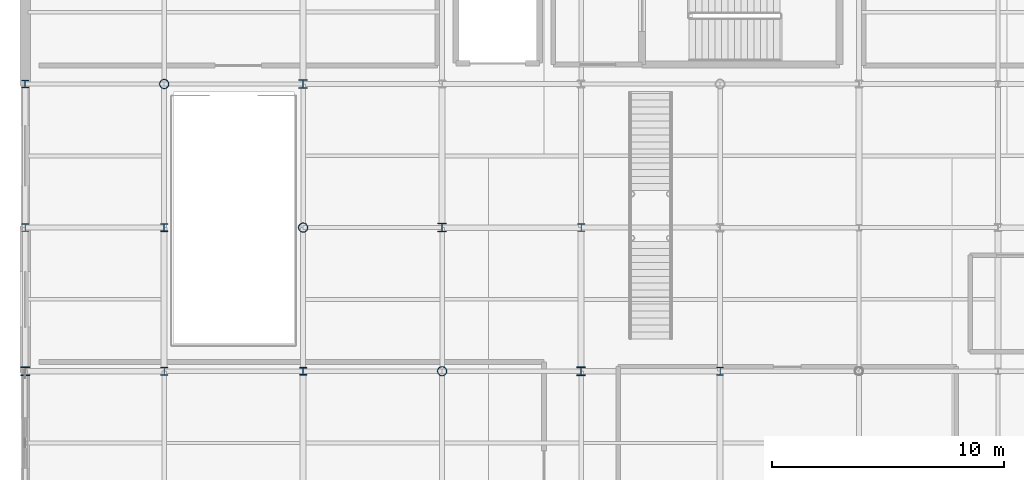
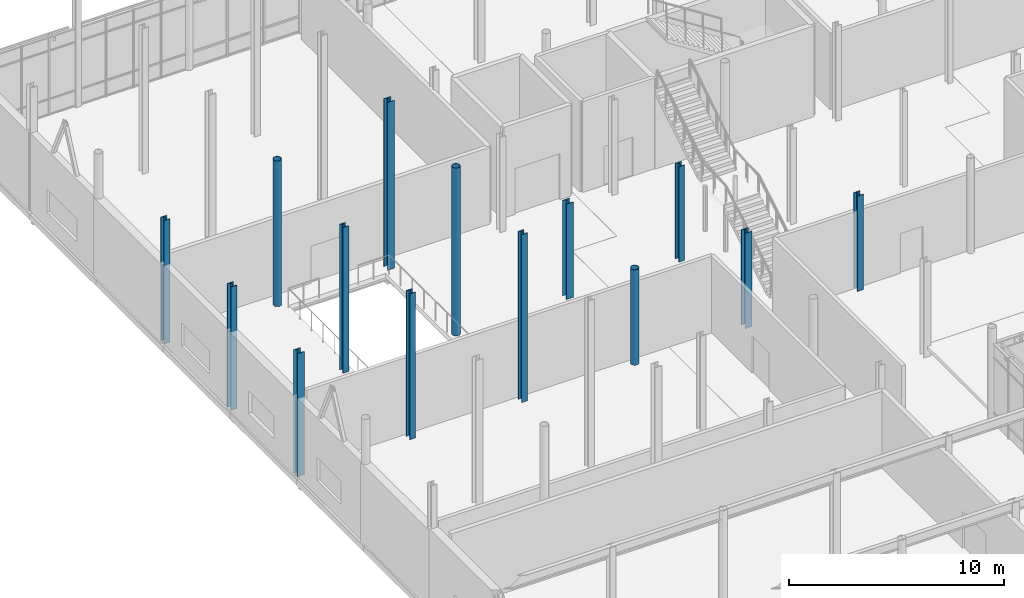
# One storey, part 2 of 105: 14 columns.
"""IFC4 building model written with IfcOpenShell, lengths in metres."""

from ifc_helpers import new_model, si_unit, direction, frame, origin, origin_2d, place, context, subcontext, project, spatial, hollow_circle, i_section, extrude, material, material_profile, profile_set, type_object, element, save


model = new_model("IFC4")

# Units and contexts
model_context = context("Model", 3, precision=1e-05, world=origin(), true_north=direction((0.0, 1.0)))
body_context = subcontext(model_context, "Body", "Model", "MODEL_VIEW")
ifc_project = project(units=[si_unit("LENGTHUNIT", "METRE"), si_unit("AREAUNIT", "SQUARE_METRE"), si_unit("VOLUMEUNIT", "CUBIC_METRE"), si_unit("PLANEANGLEUNIT", "RADIAN"), si_unit("MASSUNIT", "GRAM", prefix="KILO")], contexts=[model_context])

# Site, building, storey
site_placement = place(None, origin())
site = spatial("IfcSite", under=ifc_project, at=site_placement, CompositionType="ELEMENT")
building_placement = place(site_placement, origin())
building = spatial("IfcBuilding", under=site, at=building_placement, Name="Mirzam Square Science Centre", CompositionType="ELEMENT")
storey_placement = place(building_placement, frame((0.0, 0.0, 5.39990234375)))
storey = spatial("IfcBuildingStorey", under=building, at=storey_placement, Name="L01", CompositionType="ELEMENT", Elevation=5.39990234375)

# Columns
ifc_material = material(Name="Steel S355", Category="steel")
ifc_material_profile_1 = material_profile(ifc_material, hollow_circle(Radius=0.203125, WallThickness=0.01611328125, at=origin_2d()), Name="406.4x16.0CHS")
ifc_profile_set_1 = profile_set([ifc_material_profile_1], Name="Steel S355")
column_type_1 = type_object("IfcColumnType", Name="COL-CHS406", PredefinedType="COLUMN", material=ifc_profile_set_1)
column_1_placement = place(storey_placement, frame((6.0, 62.0, 0.0), z_axis=(0.0, 0.0, 1.0), x_axis=(1.0, 0.0, 0.0)))
element("IfcColumn", 1, at=column_1_placement, inside=storey, type_object=column_type_1, Name="L01 column G02-11", PredefinedType="COLUMN", context=body_context, shape_type="SweptSolid", body=[
    extrude(hollow_circle(Radius=0.203125, WallThickness=0.01611328125, at=origin_2d()), origin(), (0.0, 0.0, 1.0), 8.25),
])
column_2_placement = place(storey_placement, frame((12.0, 55.800048828125, 0.0), z_axis=(0.0, 0.0, 1.0), x_axis=(1.0, 0.0, 0.0)))
element("IfcColumn", 2, at=column_2_placement, inside=storey, type_object=column_type_1, Name="L01 column G03-10", PredefinedType="COLUMN", context=body_context, shape_type="SweptSolid", body=[
    extrude(hollow_circle(Radius=0.203125, WallThickness=0.01611328125, at=origin_2d()), origin(), (0.0, 0.0, 1.0), 9.510009765625),
])
column_3_placement = place(storey_placement, frame((18.0, 49.60009765625, 0.0), z_axis=(0.0, 0.0, 1.0), x_axis=(1.0, 0.0, 0.0)))
element("IfcColumn", 3, at=column_3_placement, inside=storey, type_object=column_type_1, Name="L01 column G04-09", PredefinedType="COLUMN", context=body_context, shape_type="SweptSolid", body=[
    extrude(hollow_circle(Radius=0.203125, WallThickness=0.01611328125, at=origin_2d()), origin(), (0.0, 0.0, 1.0), 5.400146484375),
])
ifc_material_profile_2 = material_profile(ifc_material, i_section(OverallWidth=0.314453125, OverallDepth=0.33984375, WebThickness=0.01904296875, FlangeThickness=0.031494140625, FilletRadius=0.01513671875, at=origin_2d()), Name="305x305x198UC")
ifc_profile_set_2 = profile_set([ifc_material_profile_2], Name="Steel S355")
column_type_2 = type_object("IfcColumnType", Name="COL-UC305B", PredefinedType="COLUMN", material=ifc_profile_set_2)
column_4_placement = place(storey_placement, frame((0.0, 62.0, 0.0), z_axis=(0.0, 0.0, 1.0), x_axis=(1.0, 0.0, 0.0)))
element("IfcColumn", 4, at=column_4_placement, inside=storey, type_object=column_type_2, Name="L01 column G01-11", PredefinedType="COLUMN", context=body_context, shape_type="SweptSolid", body=[
    extrude(i_section(OverallWidth=0.314453125, OverallDepth=0.33984375, WebThickness=0.01904296875, FlangeThickness=0.031494140625, FilletRadius=0.01513671875, at=origin_2d()), origin(), (0.0, 0.0, 1.0), 6.989990234375),
])
column_5_placement = place(storey_placement, frame((6.0, 55.800048828125, 0.0), z_axis=(0.0, 0.0, 1.0), x_axis=(1.0, 0.0, 0.0)))
element("IfcColumn", 5, at=column_5_placement, inside=storey, type_object=column_type_2, Name="L01 column G02-10", PredefinedType="COLUMN", context=body_context, shape_type="SweptSolid", body=[
    extrude(i_section(OverallWidth=0.314453125, OverallDepth=0.33984375, WebThickness=0.01904296875, FlangeThickness=0.031494140625, FilletRadius=0.01513671875, at=origin_2d()), origin(), (0.0, 0.0, 1.0), 8.25),
])
column_6_placement = place(storey_placement, frame((12.0, 49.60009765625, 0.0), z_axis=(0.0, 0.0, 1.0), x_axis=(1.0, 0.0, 0.0)))
element("IfcColumn", 6, at=column_6_placement, inside=storey, type_object=column_type_2, Name="L01 column G03-09", PredefinedType="COLUMN", context=body_context, shape_type="SweptSolid", body=[
    extrude(i_section(OverallWidth=0.314453125, OverallDepth=0.33984375, WebThickness=0.01904296875, FlangeThickness=0.031494140625, FilletRadius=0.01513671875, at=origin_2d()), origin(), (0.0, 0.0, 1.0), 9.510009765625),
])
ifc_material_profile_3 = material_profile(ifc_material, i_section(OverallWidth=0.318359375, OverallDepth=0.3525390625, WebThickness=0.02294921875, FlangeThickness=0.03759765625, FilletRadius=0.01513671875, at=origin_2d()), Name="305x305x240UC")
ifc_profile_set_3 = profile_set([ifc_material_profile_3], Name="Steel S355")
column_type_3 = type_object("IfcColumnType", Name="COL-UC305C", PredefinedType="COLUMN", material=ifc_profile_set_3)
column_7_placement = place(storey_placement, frame((0.0, 55.800048828125, 0.0), z_axis=(0.0, 0.0, 1.0), x_axis=(1.0, 0.0, 0.0)))
element("IfcColumn", 7, at=column_7_placement, inside=storey, type_object=column_type_3, Name="L01 column G01-10", PredefinedType="COLUMN", context=body_context, shape_type="SweptSolid", body=[
    extrude(i_section(OverallWidth=0.318359375, OverallDepth=0.3525390625, WebThickness=0.02294921875, FlangeThickness=0.03759765625, FilletRadius=0.01513671875, at=origin_2d()), origin(), (0.0, 0.0, 1.0), 6.989990234375),
])
column_8_placement = place(storey_placement, frame((6.0, 49.60009765625, 0.0), z_axis=(0.0, 0.0, 1.0), x_axis=(1.0, 0.0, 0.0)))
element("IfcColumn", 8, at=column_8_placement, inside=storey, type_object=column_type_3, Name="L01 column G02-09", PredefinedType="COLUMN", context=body_context, shape_type="SweptSolid", body=[
    extrude(i_section(OverallWidth=0.318359375, OverallDepth=0.3525390625, WebThickness=0.02294921875, FlangeThickness=0.03759765625, FilletRadius=0.01513671875, at=origin_2d()), origin(), (0.0, 0.0, 1.0), 8.25),
])
for number, where, z_axis, x_axis, name in (
    (9, (24.0, 55.800048828125, 0.0), (0.0, 0.0, 1.0), (1.0, 0.0, 0.0), "L01 column G05-10"),
    (10, (30.0, 49.60009765625, 0.0), (0.0, 0.0, 1.0), (1.0, 0.0, 0.0), "L01 column G06-09"),
):
    element("IfcColumn", number, at=place(storey_placement, frame(where, z_axis=z_axis, x_axis=x_axis)), inside=storey, type_object=column_type_3, Name=name, PredefinedType="COLUMN", context=body_context, shape_type="SweptSolid", body=[
        extrude(i_section(OverallWidth=0.318359375, OverallDepth=0.3525390625, WebThickness=0.02294921875, FlangeThickness=0.03759765625, FilletRadius=0.01513671875, at=origin_2d()), origin(), (0.0, 0.0, 1.0), 5.400146484375),
    ])
ifc_material_profile_4 = material_profile(ifc_material, i_section(OverallWidth=0.374755859375, OverallDepth=0.37451171875, WebThickness=0.0166015625, FlangeThickness=0.027099609375, FilletRadius=0.01513671875, at=origin_2d()), Name="356x368x202UC")
ifc_profile_set_4 = profile_set([ifc_material_profile_4], Name="Steel S355")
column_type_4 = type_object("IfcColumnType", Name="COL-UC356A", PredefinedType="COLUMN", material=ifc_profile_set_4)
column_9_placement = place(storey_placement, frame((0.0, 49.60009765625, 0.0), z_axis=(0.0, 0.0, 1.0), x_axis=(1.0, 0.0, 0.0)))
element("IfcColumn", 11, at=column_9_placement, inside=storey, type_object=column_type_4, Name="L01 column G01-09", PredefinedType="COLUMN", context=body_context, shape_type="SweptSolid", body=[
    extrude(i_section(OverallWidth=0.374755859375, OverallDepth=0.37451171875, WebThickness=0.0166015625, FlangeThickness=0.027099609375, FilletRadius=0.01513671875, at=origin_2d()), origin(), (0.0, 0.0, 1.0), 6.989990234375),
])
column_10_placement = place(storey_placement, frame((12.0, 62.0, 0.0), z_axis=(0.0, 0.0, 1.0), x_axis=(1.0, 0.0, 0.0)))
element("IfcColumn", 12, at=column_10_placement, inside=storey, type_object=column_type_4, Name="L01 column G03-11", PredefinedType="COLUMN", context=body_context, shape_type="SweptSolid", body=[
    extrude(i_section(OverallWidth=0.374755859375, OverallDepth=0.37451171875, WebThickness=0.0166015625, FlangeThickness=0.027099609375, FilletRadius=0.01513671875, at=origin_2d()), origin(), (0.0, 0.0, 1.0), 9.510009765625),
])
for number, where, z_axis, x_axis, name in (
    (13, (18.0, 55.800048828125, 0.0), (0.0, 0.0, 1.0), (1.0, 0.0, 0.0), "L01 column G04-10"),
    (14, (24.0, 49.60009765625, 0.0), (0.0, 0.0, 1.0), (1.0, 0.0, 0.0), "L01 column G05-09"),
):
    element("IfcColumn", number, at=place(storey_placement, frame(where, z_axis=z_axis, x_axis=x_axis)), inside=storey, type_object=column_type_4, Name=name, PredefinedType="COLUMN", context=body_context, shape_type="SweptSolid", body=[
        extrude(i_section(OverallWidth=0.374755859375, OverallDepth=0.37451171875, WebThickness=0.0166015625, FlangeThickness=0.027099609375, FilletRadius=0.01513671875, at=origin_2d()), origin(), (0.0, 0.0, 1.0), 5.400146484375),
    ])

save(model, "model.ifc")
